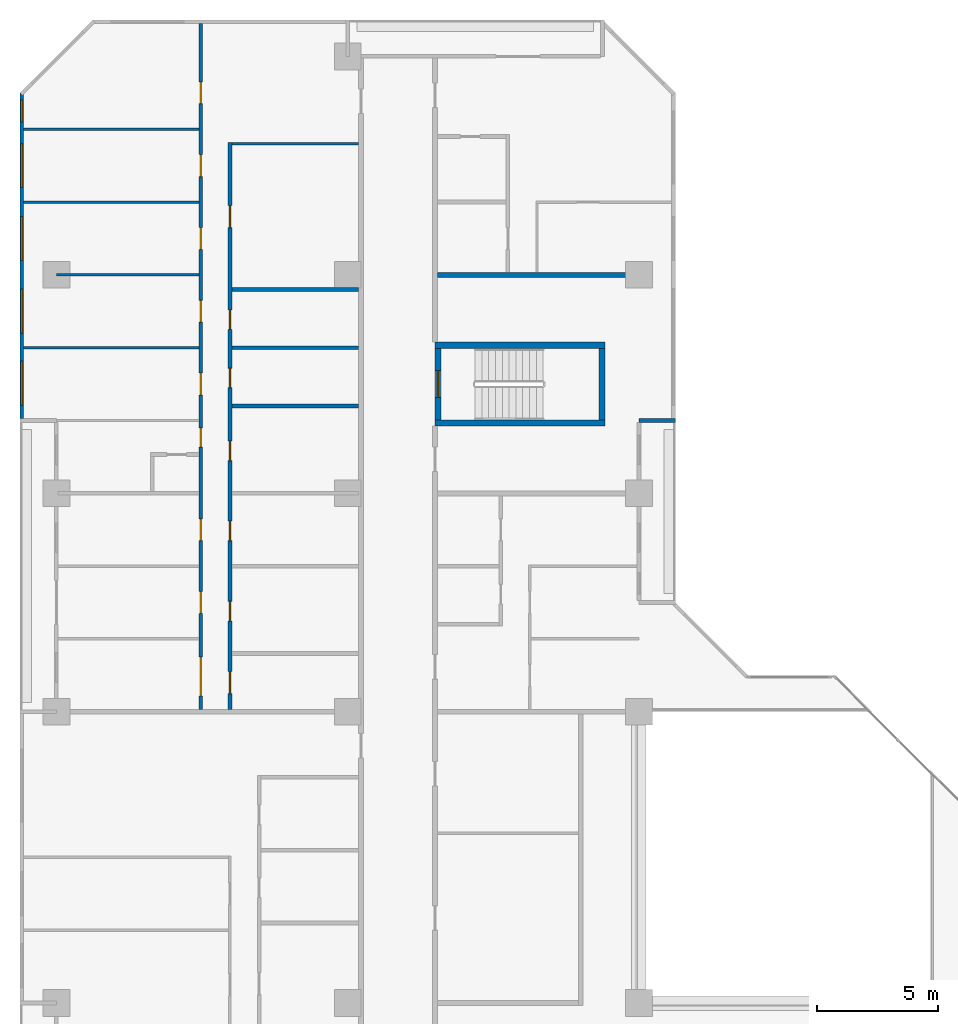
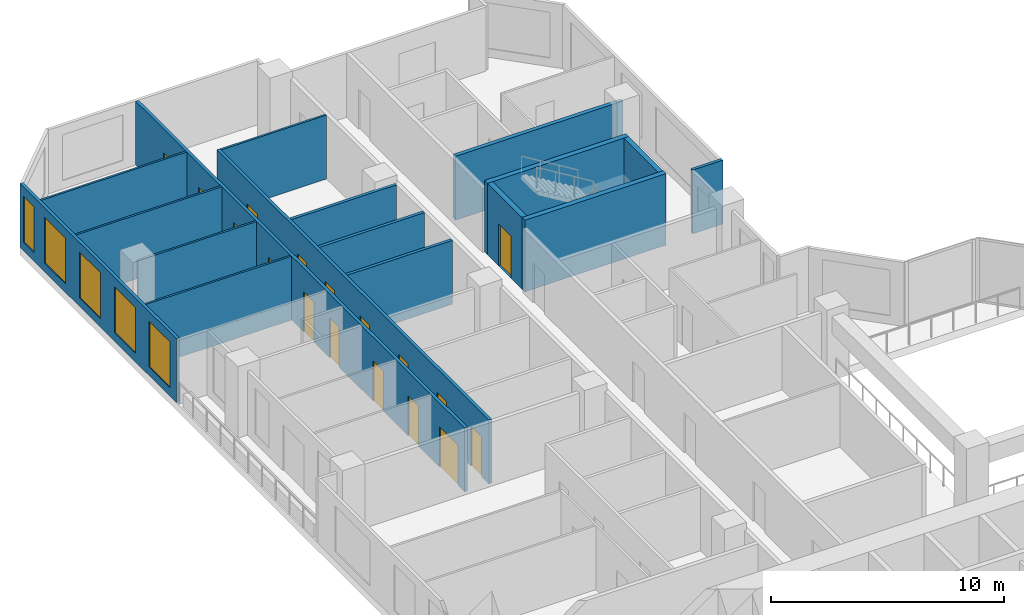
# One storey, part 10 of 15: 17 doors, 17 walls, 5 windows, 22 openings.
"""IFC4 building model written with IfcOpenShell, lengths in metres."""

from ifc_helpers import new_model, si_unit, direction, frame, frame_2d, origin, place, context, subcontext, project, spatial, rectangle, extrude, material, layer, layer_set, type_object, element, fill, save


model = new_model("IFC4")

# Units and contexts
model_context = context("Model", 3, precision=1e-05, world=origin(), true_north=direction((0.0, 1.0)))
body_context = subcontext(model_context, "Body", "Model", "MODEL_VIEW")
ifc_project = project(units=[si_unit("LENGTHUNIT", "METRE"), si_unit("AREAUNIT", "SQUARE_METRE"), si_unit("VOLUMEUNIT", "CUBIC_METRE"), si_unit("PLANEANGLEUNIT", "RADIAN"), si_unit("MASSUNIT", "GRAM", prefix="KILO")], contexts=[model_context])

# Site, building, storey
site_placement = place(None, origin())
site = spatial("IfcSite", under=ifc_project, at=site_placement, CompositionType="ELEMENT")
building_placement = place(site_placement, origin())
building = spatial("IfcBuilding", under=site, at=building_placement, Name="Chenar Terraces", CompositionType="ELEMENT")
storey_placement = place(building_placement, frame((0.0, 0.0, 60.14990234375)))
storey = spatial("IfcBuildingStorey", under=building, at=storey_placement, Name="L12", CompositionType="ELEMENT", Elevation=60.14990234375)

# Walls
ifc_material_1 = material(Name="Concrete C70/85", Category="concrete")
ifc_layer_1 = layer(ifc_material_1, 0.25)
ifc_layer_set_1 = layer_set([ifc_layer_1], Name="Concrete C70/85")
wall_type_1 = type_object("IfcWallType", Name="Core wall 250 Concrete C70/85", PredefinedType="SHEAR", material=ifc_layer_set_1)
for number, where, z_axis, x_axis, name in (
    (1, (15.60009765625, 47.89990234375, 0.0), (0.0, 0.0, 1.0), (1.0, 0.0, 0.0), "Core wall ST4_S L12"),
    (2, (15.60009765625, 51.10009765625, 0.0), (0.0, 0.0, 1.0), (1.0, 0.0, 0.0), "Core wall ST4_N L12"),
):
    element("IfcWall", number, at=place(storey_placement, frame(where, z_axis=z_axis, x_axis=x_axis)), inside=storey, type_object=wall_type_1, Name=name, PredefinedType="SHEAR", context=body_context, shape_type="SweptSolid", body=[
        extrude(rectangle(XDim=7.0, YDim=0.25, at=frame_2d((3.5, 0.0))), origin(), (0.0, 0.0, 1.0), 3.75),
    ])

# Wall, opening, door
wall_1_placement = place(storey_placement, frame((15.72509765625, 48.02490234375, 0.0), z_axis=(0.0, 0.0, 1.0), x_axis=(0.0, 1.0, 0.0)))
wall_1 = element("IfcWall", 3, at=wall_1_placement, inside=storey, type_object=wall_type_1, Name="Core wall ST4_W L12", PredefinedType="SHEAR", context=body_context, shape_type="SweptSolid", body=[
    extrude(rectangle(XDim=2.9501953125, YDim=0.25, at=frame_2d((1.47509765625, 0.0))), origin(), (0.0, 0.0, 1.0), 3.75),
])
opening_1_placement = place(wall_1_placement, frame((0.925048828125, 0.0, 0.0)))
opening_1 = element("IfcOpeningElement", 4, at=opening_1_placement, cuts=wall_1, Name="Opening DL12-C9", PredefinedType="OPENING", context=body_context, shape_type="SweptSolid", body=[
    extrude(rectangle(XDim=1.10009765625, YDim=2.199951171875, at=frame_2d((0.550048828125, 1.10009765625))), frame((0.0, 0.135009765625, 0.0), z_axis=(0.0, -1.0, 0.0), x_axis=(1.0, 0.0, 0.0)), (0.0, 0.0, 1.0), 0.27001953125),
])
ifc_material_2 = material(Name="Steel-framed fire-resisting door leaf", Category="steel")
door_type_1 = type_object("IfcDoorType", Name="Stair fire door FD60 1100 x 2200", OperationType="SINGLE_SWING_LEFT", PredefinedType="DOOR", material=ifc_material_2)
door_1_placement = place(opening_1_placement, frame((1.10009765625, 0.0, 0.0), z_axis=(0.0, 0.0, 1.0), x_axis=(-1.0, 0.0, 0.0)))
door_1 = element("IfcDoor", 5, at=door_1_placement, inside=storey, type_object=door_type_1, Name="Stair door DL12-C9", OperationType="SINGLE_SWING_RIGHT", OverallHeight=2.199951171875, OverallWidth=1.10009765625, PredefinedType="DOOR", context=body_context, shape_type="SweptSolid", body=[
    extrude(rectangle(XDim=1.10009765625, YDim=2.199951171875, at=frame_2d((0.550048828125, 1.10009765625))), frame((0.0, 0.02490234375, 0.0), z_axis=(0.0, -1.0, 0.0), x_axis=(1.0, 0.0, 0.0)), (0.0, 0.0, 1.0), 0.050048828125),
])
fill(opening_1, door_1)

# Wall
wall_2_placement = place(storey_placement, frame((22.47509765625, 48.02490234375, 0.0), z_axis=(0.0, 0.0, 1.0), x_axis=(0.0, 1.0, 0.0)))
element("IfcWall", 6, at=wall_2_placement, inside=storey, type_object=wall_type_1, Name="Core wall ST4_E L12", PredefinedType="SHEAR", context=body_context, shape_type="SweptSolid", body=[
    extrude(rectangle(XDim=2.9501953125, YDim=0.25, at=frame_2d((1.47509765625, 0.0))), origin(), (0.0, 0.0, 1.0), 3.75),
])

# Wall, openings, windows
ifc_material_3 = material(Name="Aluminium framed glazing", Category="aluminium")
ifc_layer_2 = layer(ifc_material_3, 0.14990234375)
ifc_layer_set_2 = layer_set([ifc_layer_2], Name="Aluminium framed glazing")
wall_type_2 = type_object("IfcWallType", Name="Glazed flush facade wall 150", PredefinedType="SOLIDWALL", material=ifc_layer_set_2)
wall_3_placement = place(storey_placement, frame((-1.425048828125, 61.5, 0.0), z_axis=(0.0, 0.0, 1.0), x_axis=(0.0, -1.0, 0.0)))
wall_3 = element("IfcWall", 7, at=wall_3_placement, inside=storey, type_object=wall_type_2, Name="Glazed flush facade wall", PredefinedType="SOLIDWALL", context=body_context, shape_type="SweptSolid", body=[
    extrude(rectangle(XDim=13.425048828125, YDim=0.14990234375, at=frame_2d((6.71240234375, 0.0))), origin(), (0.0, 0.0, 1.0), 3.35009765625),
])
opening_2_placement = place(wall_3_placement, frame((0.300048828125, 0.0, 0.449951171875)))
opening_2 = element("IfcOpeningElement", 8, at=opening_2_placement, cuts=wall_3, Name="Opening W90x240", PredefinedType="OPENING", context=body_context, shape_type="SweptSolid", body=[
    extrude(rectangle(XDim=0.89990234375, YDim=2.39990234375, at=frame_2d((0.449951171875, 1.199951171875))), frame((0.0, 0.0849609375, 0.0), z_axis=(0.0, -1.0, 0.0), x_axis=(1.0, 0.0, 0.0)), (0.0, 0.0, 1.0), 0.169921875),
])
opening_3_placement = place(wall_3_placement, frame((2.10009765625, 0.0, 0.449951171875)))
opening_3 = element("IfcOpeningElement", 9, at=opening_3_placement, cuts=wall_3, Name="Opening W180x240", PredefinedType="OPENING", context=body_context, shape_type="SweptSolid", body=[
    extrude(rectangle(XDim=1.800048828125, YDim=2.39990234375, at=frame_2d((0.89990234375, 1.199951171875))), frame((0.0, 0.0849609375, 0.0), z_axis=(0.0, -1.0, 0.0), x_axis=(1.0, 0.0, 0.0)), (0.0, 0.0, 1.0), 0.169921875),
])
opening_4_placement = place(wall_3_placement, frame((5.10009765625, 0.0, 0.449951171875)))
opening_4 = element("IfcOpeningElement", 10, at=opening_4_placement, cuts=wall_3, Name="Opening W180x240", PredefinedType="OPENING", context=body_context, shape_type="SweptSolid", body=[
    extrude(rectangle(XDim=1.800048828125, YDim=2.39990234375, at=frame_2d((0.89990234375, 1.199951171875))), frame((0.0, 0.0849609375, 0.0), z_axis=(0.0, -1.0, 0.0), x_axis=(1.0, 0.0, 0.0)), (0.0, 0.0, 1.0), 0.169921875),
])
opening_5_placement = place(wall_3_placement, frame((8.10009765625, 0.0, 0.449951171875)))
opening_5 = element("IfcOpeningElement", 11, at=opening_5_placement, cuts=wall_3, Name="Opening W180x240", PredefinedType="OPENING", context=body_context, shape_type="SweptSolid", body=[
    extrude(rectangle(XDim=1.800048828125, YDim=2.39990234375, at=frame_2d((0.89990234375, 1.199951171875))), frame((0.0, 0.0849609375, 0.0), z_axis=(0.0, -1.0, 0.0), x_axis=(1.0, 0.0, 0.0)), (0.0, 0.0, 1.0), 0.169921875),
])
opening_6_placement = place(wall_3_placement, frame((11.0625, 0.0, 0.449951171875)))
opening_6 = element("IfcOpeningElement", 12, at=opening_6_placement, cuts=wall_3, Name="Opening W180x240", PredefinedType="OPENING", context=body_context, shape_type="SweptSolid", body=[
    extrude(rectangle(XDim=1.800048828125, YDim=2.39990234375, at=frame_2d((0.89990234375, 1.199951171875))), frame((0.0, 0.0849609375, 0.0), z_axis=(0.0, -1.0, 0.0), x_axis=(1.0, 0.0, 0.0)), (0.0, 0.0, 1.0), 0.169921875),
])
ifc_material_4 = material(Name="Low emissivity double glazing, aluminium frame", Category="aluminium")
window_type_1 = type_object("IfcWindowType", Name="Fixed light 1800 x 2400", PartitioningType="SINGLE_PANEL", PredefinedType="WINDOW", material=ifc_material_4)
window_1_placement = place(opening_3_placement, origin())
window_1 = element("IfcWindow", 13, at=window_1_placement, inside=storey, type_object=window_type_1, Name="Window", OverallHeight=2.39990234375, OverallWidth=1.800048828125, PartitioningType="SINGLE_PANEL", PredefinedType="WINDOW", context=body_context, shape_type="SweptSolid", body=[
    extrude(rectangle(XDim=1.800048828125, YDim=2.39990234375, at=frame_2d((0.89990234375, 1.199951171875))), frame((0.0, 0.030029296875, 0.0), z_axis=(0.0, -1.0, 0.0), x_axis=(1.0, 0.0, 0.0)), (0.0, 0.0, 1.0), 0.06005859375),
])
fill(opening_3, window_1)
window_2_placement = place(opening_4_placement, origin())
window_2 = element("IfcWindow", 14, at=window_2_placement, inside=storey, type_object=window_type_1, Name="Window", OverallHeight=2.39990234375, OverallWidth=1.800048828125, PartitioningType="SINGLE_PANEL", PredefinedType="WINDOW", context=body_context, shape_type="SweptSolid", body=[
    extrude(rectangle(XDim=1.800048828125, YDim=2.39990234375, at=frame_2d((0.89990234375, 1.199951171875))), frame((0.0, 0.030029296875, 0.0), z_axis=(0.0, -1.0, 0.0), x_axis=(1.0, 0.0, 0.0)), (0.0, 0.0, 1.0), 0.06005859375),
])
fill(opening_4, window_2)
window_3_placement = place(opening_5_placement, origin())
window_3 = element("IfcWindow", 15, at=window_3_placement, inside=storey, type_object=window_type_1, Name="Window", OverallHeight=2.39990234375, OverallWidth=1.800048828125, PartitioningType="SINGLE_PANEL", PredefinedType="WINDOW", context=body_context, shape_type="SweptSolid", body=[
    extrude(rectangle(XDim=1.800048828125, YDim=2.39990234375, at=frame_2d((0.89990234375, 1.199951171875))), frame((0.0, 0.030029296875, 0.0), z_axis=(0.0, -1.0, 0.0), x_axis=(1.0, 0.0, 0.0)), (0.0, 0.0, 1.0), 0.06005859375),
])
fill(opening_5, window_3)
window_4_placement = place(opening_6_placement, origin())
window_4 = element("IfcWindow", 16, at=window_4_placement, inside=storey, type_object=window_type_1, Name="Window", OverallHeight=2.39990234375, OverallWidth=1.800048828125, PartitioningType="SINGLE_PANEL", PredefinedType="WINDOW", context=body_context, shape_type="SweptSolid", body=[
    extrude(rectangle(XDim=1.800048828125, YDim=2.39990234375, at=frame_2d((0.89990234375, 1.199951171875))), frame((0.0, 0.030029296875, 0.0), z_axis=(0.0, -1.0, 0.0), x_axis=(1.0, 0.0, 0.0)), (0.0, 0.0, 1.0), 0.06005859375),
])
fill(opening_6, window_4)
ifc_material_5 = material(Name="Low emissivity double glazing, aluminium frame", Category="aluminium")
window_type_2 = type_object("IfcWindowType", Name="Fixed light 900 x 2400", PartitioningType="SINGLE_PANEL", PredefinedType="WINDOW", material=ifc_material_5)
window_5_placement = place(opening_2_placement, origin())
window_5 = element("IfcWindow", 17, at=window_5_placement, inside=storey, type_object=window_type_2, Name="Window", OverallHeight=2.39990234375, OverallWidth=0.89990234375, PartitioningType="SINGLE_PANEL", PredefinedType="WINDOW", context=body_context, shape_type="SweptSolid", body=[
    extrude(rectangle(XDim=0.89990234375, YDim=2.39990234375, at=frame_2d((0.449951171875, 1.199951171875))), frame((0.0, 0.030029296875, 0.0), z_axis=(0.0, -1.0, 0.0), x_axis=(1.0, 0.0, 0.0)), (0.0, 0.0, 1.0), 0.06005859375),
])
fill(opening_2, window_5)

# Walls
ifc_material_6 = material(Name="Gypsum board on steel studs", Category="steel")
ifc_layer_3 = layer(ifc_material_6, 0.10009765625)
ifc_layer_set_3 = layer_set([ifc_layer_3], Name="Gypsum board on steel studs")
wall_type_3 = type_object("IfcWallType", Name="Gypsum partition 100", PredefinedType="PARTITIONING", material=ifc_layer_set_3)
for number, where, z_axis, x_axis, name in (
    (18, (-1.35107421875, 57.0, 0.0), (0.0, 0.0, 1.0), (1.0, 0.0, 0.0), "Partition L12-002"),
    (19, (-1.35107421875, 60.0, 0.0), (0.0, 0.0, 1.0), (1.0, 0.0, 0.0), "Partition L12-003"),
):
    element("IfcWall", number, at=place(storey_placement, frame(where, z_axis=z_axis, x_axis=x_axis)), inside=storey, type_object=wall_type_3, Name=name, PredefinedType="PARTITIONING", context=body_context, shape_type="SweptSolid", body=[
        extrude(rectangle(XDim=7.22607421875, YDim=0.10009765625, at=frame_2d((3.613037109375, 0.0))), origin(), (0.0, 0.0, 1.0), 3.35009765625),
    ])
wall_4_placement = place(storey_placement, frame((-1.35009765625, 51.0, 0.0), z_axis=(0.0, 0.0, 1.0), x_axis=(1.0, 0.0, 0.0)))
element("IfcWall", 20, at=wall_4_placement, inside=storey, type_object=wall_type_3, Name="Partition L12-007", PredefinedType="PARTITIONING", context=body_context, shape_type="SweptSolid", body=[
    extrude(rectangle(XDim=7.22509765625, YDim=0.10009765625, at=frame_2d((3.612548828125, 0.0))), origin(), (0.0, 0.0, 1.0), 3.35009765625),
])
wall_5_placement = place(storey_placement, frame((0.0, 54.0, 0.0), z_axis=(0.0, 0.0, 1.0), x_axis=(1.0, 0.0, 0.0)))
element("IfcWall", 21, at=wall_5_placement, inside=storey, type_object=wall_type_3, Name="Partition L12-008", PredefinedType="PARTITIONING", context=body_context, shape_type="SweptSolid", body=[
    extrude(rectangle(XDim=5.875, YDim=0.10009765625, at=frame_2d((2.9375, 0.0))), origin(), (0.0, 0.0, 1.0), 3.35009765625),
])
wall_6_placement = place(storey_placement, frame((7.22509765625, 59.39990234375, 0.0), z_axis=(0.0, 0.0, 1.0), x_axis=(1.0, 0.0, 0.0)))
element("IfcWall", 22, at=wall_6_placement, inside=storey, type_object=wall_type_3, Name="Partition L12-026", PredefinedType="PARTITIONING", context=body_context, shape_type="SweptSolid", body=[
    extrude(rectangle(XDim=5.224853515625, YDim=0.10009765625, at=frame_2d((2.6123046875, 0.0))), origin(), (0.0, 0.0, 1.0), 3.35009765625),
])
ifc_material_7 = material(Name="Terracotta cladding on insulated backing", Category="masonry")
ifc_layer_4 = layer(ifc_material_7, 0.14990234375)
ifc_layer_set_4 = layer_set([ifc_layer_4], Name="Terracotta cladding on insulated backing")
wall_type_4 = type_object("IfcWallType", Name="Loggia return wall 150", PredefinedType="SOLIDWALL", material=ifc_layer_set_4)
wall_7_placement = place(storey_placement, frame((25.5, 48.0, 0.0), z_axis=(0.0, 0.0, 1.0), x_axis=(-1.0, 0.0, 0.0)))
element("IfcWall", 23, at=wall_7_placement, inside=storey, type_object=wall_type_4, Name="Loggia return wall", PredefinedType="SOLIDWALL", context=body_context, shape_type="SweptSolid", body=[
    extrude(rectangle(XDim=1.5, YDim=0.14990234375, at=frame_2d((0.75, 0.0))), origin(), (0.0, 0.0, 1.0), 3.35009765625),
])
ifc_material_8 = material(Name="Twin gypsum board on steel studs with mineral wool", Category="steel")
ifc_layer_5 = layer(ifc_material_8, 0.199951171875)
ifc_layer_set_5 = layer_set([ifc_layer_5], Name="Twin gypsum board on steel studs with mineral wool")
wall_type_5 = type_object("IfcWallType", Name="Unit demising wall 200", PredefinedType="PARTITIONING", material=ifc_layer_set_5)
wall_8_placement = place(storey_placement, frame((15.699951171875, 54.0, 0.0), z_axis=(0.0, 0.0, 1.0), x_axis=(1.0, 0.0, 0.0)))
element("IfcWall", 24, at=wall_8_placement, inside=storey, type_object=wall_type_5, Name="Partition L12-045", PredefinedType="PARTITIONING", context=body_context, shape_type="SweptSolid", body=[
    extrude(rectangle(XDim=8.300048828125, YDim=0.199951171875, at=frame_2d((4.14990234375, 0.0))), origin(), (0.0, 0.0, 1.0), 3.35009765625),
])

# Wall, openings, doors
ifc_material_9 = material(Name="Moisture-resistant gypsum board on steel studs", Category="steel")
ifc_layer_6 = layer(ifc_material_9, 0.14990234375)
ifc_layer_set_6 = layer_set([ifc_layer_6], Name="Moisture-resistant gypsum board on steel studs")
wall_type_6 = type_object("IfcWallType", Name="Wet-room partition 150", PredefinedType="PARTITIONING", material=ifc_layer_set_6)
wall_9_placement = place(storey_placement, frame((5.949951171875, 36.10009765625, 0.0), z_axis=(0.0, 0.0, 1.0), x_axis=(0.0, 1.0, 0.0)))
wall_9 = element("IfcWall", 25, at=wall_9_placement, inside=storey, type_object=wall_type_6, Name="Partition L12-017", PredefinedType="PARTITIONING", context=body_context, shape_type="SweptSolid", body=[
    extrude(rectangle(XDim=28.25, YDim=0.14990234375, at=frame_2d((14.125, 0.0))), origin(), (0.0, 0.0, 1.0), 3.35009765625),
])
opening_7_placement = place(wall_9_placement, frame((3.949951171875, 0.0, 0.0)))
opening_7 = element("IfcOpeningElement", 26, at=opening_7_placement, cuts=wall_9, Name="Opening DL12-33", PredefinedType="OPENING", context=body_context, shape_type="SweptSolid", body=[
    extrude(rectangle(XDim=0.89990234375, YDim=2.10009765625, at=frame_2d((0.449951171875, 1.050048828125))), frame((0.0, 0.0849609375, 0.0), z_axis=(0.0, -1.0, 0.0), x_axis=(1.0, 0.0, 0.0)), (0.0, 0.0, 1.0), 0.169921875),
])
opening_8_placement = place(wall_9_placement, frame((12.949951171875, 0.0, 0.0)))
opening_8 = element("IfcOpeningElement", 27, at=opening_8_placement, cuts=wall_9, Name="Opening DL12-34", PredefinedType="OPENING", context=body_context, shape_type="SweptSolid", body=[
    extrude(rectangle(XDim=0.89990234375, YDim=2.10009765625, at=frame_2d((0.449951171875, 1.050048828125))), frame((0.0, 0.0849609375, 0.0), z_axis=(0.0, -1.0, 0.0), x_axis=(1.0, 0.0, 0.0)), (0.0, 0.0, 1.0), 0.169921875),
])
opening_9_placement = place(wall_9_placement, frame((18.949951171875, 0.0, 0.0)))
opening_9 = element("IfcOpeningElement", 28, at=opening_9_placement, cuts=wall_9, Name="Opening DL12-35", PredefinedType="OPENING", context=body_context, shape_type="SweptSolid", body=[
    extrude(rectangle(XDim=0.89990234375, YDim=2.10009765625, at=frame_2d((0.449951171875, 1.050048828125))), frame((0.0, 0.0849609375, 0.0), z_axis=(0.0, -1.0, 0.0), x_axis=(1.0, 0.0, 0.0)), (0.0, 0.0, 1.0), 0.169921875),
])
opening_10_placement = place(wall_9_placement, frame((21.949951171875, 0.0, 0.0)))
opening_10 = element("IfcOpeningElement", 29, at=opening_10_placement, cuts=wall_9, Name="Opening DL12-36", PredefinedType="OPENING", context=body_context, shape_type="SweptSolid", body=[
    extrude(rectangle(XDim=0.89990234375, YDim=2.10009765625, at=frame_2d((0.449951171875, 1.050048828125))), frame((0.0, 0.0849609375, 0.0), z_axis=(0.0, -1.0, 0.0), x_axis=(1.0, 0.0, 0.0)), (0.0, 0.0, 1.0), 0.169921875),
])
opening_11_placement = place(wall_9_placement, frame((24.949951171875, 0.0, 0.0)))
opening_11 = element("IfcOpeningElement", 30, at=opening_11_placement, cuts=wall_9, Name="Opening DL12-37", PredefinedType="OPENING", context=body_context, shape_type="SweptSolid", body=[
    extrude(rectangle(XDim=0.89990234375, YDim=2.10009765625, at=frame_2d((0.449951171875, 1.050048828125))), frame((0.0, 0.0849609375, 0.0), z_axis=(0.0, -1.0, 0.0), x_axis=(1.0, 0.0, 0.0)), (0.0, 0.0, 1.0), 0.169921875),
])
opening_12_placement = place(wall_9_placement, frame((15.949951171875, 0.0, 0.0)))
opening_12 = element("IfcOpeningElement", 31, at=opening_12_placement, cuts=wall_9, Name="Opening DL12-43", PredefinedType="OPENING", context=body_context, shape_type="SweptSolid", body=[
    extrude(rectangle(XDim=0.89990234375, YDim=2.10009765625, at=frame_2d((0.449951171875, 1.050048828125))), frame((0.0, 0.0849609375, 0.0), z_axis=(0.0, -1.0, 0.0), x_axis=(1.0, 0.0, 0.0)), (0.0, 0.0, 1.0), 0.169921875),
])
opening_13_placement = place(wall_9_placement, frame((10.800048828125, 0.0, 0.0)))
opening_13 = element("IfcOpeningElement", 32, at=opening_13_placement, cuts=wall_9, Name="Opening DL12-44", PredefinedType="OPENING", context=body_context, shape_type="SweptSolid", body=[
    extrude(rectangle(XDim=0.800048828125, YDim=2.10009765625, at=frame_2d((0.39990234375, 1.050048828125))), frame((0.0, 0.0849609375, 0.0), z_axis=(0.0, -1.0, 0.0), x_axis=(1.0, 0.0, 0.0)), (0.0, 0.0, 1.0), 0.169921875),
])
opening_14_placement = place(wall_9_placement, frame((0.550048828125, 0.0, 0.0)))
opening_14 = element("IfcOpeningElement", 33, at=opening_14_placement, cuts=wall_9, Name="Opening DL12-46", PredefinedType="OPENING", context=body_context, shape_type="SweptSolid", body=[
    extrude(rectangle(XDim=1.60009765625, YDim=2.10009765625, at=frame_2d((0.800048828125, 1.050048828125))), frame((0.0, 0.0849609375, 0.0), z_axis=(0.0, -1.0, 0.0), x_axis=(1.0, 0.0, 0.0)), (0.0, 0.0, 1.0), 0.169921875),
])
opening_15_placement = place(wall_9_placement, frame((6.949951171875, 0.0, 0.0)))
opening_15 = element("IfcOpeningElement", 34, at=opening_15_placement, cuts=wall_9, Name="Opening DL12-48", PredefinedType="OPENING", context=body_context, shape_type="SweptSolid", body=[
    extrude(rectangle(XDim=0.89990234375, YDim=2.10009765625, at=frame_2d((0.449951171875, 1.050048828125))), frame((0.0, 0.0849609375, 0.0), z_axis=(0.0, -1.0, 0.0), x_axis=(1.0, 0.0, 0.0)), (0.0, 0.0, 1.0), 0.169921875),
])
ifc_material_10 = material(Name="Veneered timber door leaf", Category="wood")
door_type_2 = type_object("IfcDoorType", Name="Door 800 x 2100", OperationType="SINGLE_SWING_LEFT", PredefinedType="DOOR", material=ifc_material_10)
door_2_placement = place(opening_13_placement, origin())
door_2 = element("IfcDoor", 35, at=door_2_placement, inside=storey, type_object=door_type_2, Name="Door DL12-44", OperationType="SINGLE_SWING_RIGHT", OverallHeight=2.10009765625, OverallWidth=0.800048828125, PredefinedType="DOOR", context=body_context, shape_type="SweptSolid", body=[
    extrude(rectangle(XDim=0.800048828125, YDim=2.10009765625, at=frame_2d((0.39990234375, 1.050048828125))), frame((0.0, 0.02490234375, 0.0), z_axis=(0.0, -1.0, 0.0), x_axis=(1.0, 0.0, 0.0)), (0.0, 0.0, 1.0), 0.050048828125),
])
fill(opening_13, door_2)
ifc_material_11 = material(Name="Veneered timber door leaf", Category="wood")
door_type_3 = type_object("IfcDoorType", Name="Door 900 x 2100", OperationType="SINGLE_SWING_LEFT", PredefinedType="DOOR", material=ifc_material_11)
door_3_placement = place(opening_7_placement, origin())
door_3 = element("IfcDoor", 36, at=door_3_placement, inside=storey, type_object=door_type_3, Name="Door DL12-33", OperationType="SINGLE_SWING_RIGHT", OverallHeight=2.10009765625, OverallWidth=0.89990234375, PredefinedType="DOOR", context=body_context, shape_type="SweptSolid", body=[
    extrude(rectangle(XDim=0.89990234375, YDim=2.10009765625, at=frame_2d((0.449951171875, 1.050048828125))), frame((0.0, 0.02490234375, 0.0), z_axis=(0.0, -1.0, 0.0), x_axis=(1.0, 0.0, 0.0)), (0.0, 0.0, 1.0), 0.050048828125),
])
fill(opening_7, door_3)
door_4_placement = place(opening_8_placement, origin())
door_4 = element("IfcDoor", 37, at=door_4_placement, inside=storey, type_object=door_type_3, Name="Door DL12-34", OperationType="SINGLE_SWING_RIGHT", OverallHeight=2.10009765625, OverallWidth=0.89990234375, PredefinedType="DOOR", context=body_context, shape_type="SweptSolid", body=[
    extrude(rectangle(XDim=0.89990234375, YDim=2.10009765625, at=frame_2d((0.449951171875, 1.050048828125))), frame((0.0, 0.02490234375, 0.0), z_axis=(0.0, -1.0, 0.0), x_axis=(1.0, 0.0, 0.0)), (0.0, 0.0, 1.0), 0.050048828125),
])
fill(opening_8, door_4)
door_5_placement = place(opening_9_placement, origin())
door_5 = element("IfcDoor", 38, at=door_5_placement, inside=storey, type_object=door_type_3, Name="Door DL12-35", OperationType="SINGLE_SWING_RIGHT", OverallHeight=2.10009765625, OverallWidth=0.89990234375, PredefinedType="DOOR", context=body_context, shape_type="SweptSolid", body=[
    extrude(rectangle(XDim=0.89990234375, YDim=2.10009765625, at=frame_2d((0.449951171875, 1.050048828125))), frame((0.0, 0.02490234375, 0.0), z_axis=(0.0, -1.0, 0.0), x_axis=(1.0, 0.0, 0.0)), (0.0, 0.0, 1.0), 0.050048828125),
])
fill(opening_9, door_5)
door_6_placement = place(opening_10_placement, origin())
door_6 = element("IfcDoor", 39, at=door_6_placement, inside=storey, type_object=door_type_3, Name="Door DL12-36", OperationType="SINGLE_SWING_RIGHT", OverallHeight=2.10009765625, OverallWidth=0.89990234375, PredefinedType="DOOR", context=body_context, shape_type="SweptSolid", body=[
    extrude(rectangle(XDim=0.89990234375, YDim=2.10009765625, at=frame_2d((0.449951171875, 1.050048828125))), frame((0.0, 0.02490234375, 0.0), z_axis=(0.0, -1.0, 0.0), x_axis=(1.0, 0.0, 0.0)), (0.0, 0.0, 1.0), 0.050048828125),
])
fill(opening_10, door_6)
door_7_placement = place(opening_11_placement, origin())
door_7 = element("IfcDoor", 40, at=door_7_placement, inside=storey, type_object=door_type_3, Name="Door DL12-37", OperationType="SINGLE_SWING_LEFT", OverallHeight=2.10009765625, OverallWidth=0.89990234375, PredefinedType="DOOR", context=body_context, shape_type="SweptSolid", body=[
    extrude(rectangle(XDim=0.89990234375, YDim=2.10009765625, at=frame_2d((0.449951171875, 1.050048828125))), frame((0.0, 0.02490234375, 0.0), z_axis=(0.0, -1.0, 0.0), x_axis=(1.0, 0.0, 0.0)), (0.0, 0.0, 1.0), 0.050048828125),
])
fill(opening_11, door_7)
door_8_placement = place(opening_12_placement, origin())
door_8 = element("IfcDoor", 41, at=door_8_placement, inside=storey, type_object=door_type_3, Name="Door DL12-43", OperationType="SINGLE_SWING_RIGHT", OverallHeight=2.10009765625, OverallWidth=0.89990234375, PredefinedType="DOOR", context=body_context, shape_type="SweptSolid", body=[
    extrude(rectangle(XDim=0.89990234375, YDim=2.10009765625, at=frame_2d((0.449951171875, 1.050048828125))), frame((0.0, 0.02490234375, 0.0), z_axis=(0.0, -1.0, 0.0), x_axis=(1.0, 0.0, 0.0)), (0.0, 0.0, 1.0), 0.050048828125),
])
fill(opening_12, door_8)
door_9_placement = place(opening_15_placement, origin())
door_9 = element("IfcDoor", 42, at=door_9_placement, inside=storey, type_object=door_type_3, Name="Door DL12-48", OperationType="SINGLE_SWING_RIGHT", OverallHeight=2.10009765625, OverallWidth=0.89990234375, PredefinedType="DOOR", context=body_context, shape_type="SweptSolid", body=[
    extrude(rectangle(XDim=0.89990234375, YDim=2.10009765625, at=frame_2d((0.449951171875, 1.050048828125))), frame((0.0, 0.02490234375, 0.0), z_axis=(0.0, -1.0, 0.0), x_axis=(1.0, 0.0, 0.0)), (0.0, 0.0, 1.0), 0.050048828125),
])
fill(opening_15, door_9)
ifc_material_12 = material(Name="Veneered timber door leaf", Category="wood")
door_type_4 = type_object("IfcDoorType", Name="Double door 1600 x 2100", OperationType="DOUBLE_DOOR_SINGLE_SWING", PredefinedType="DOOR", material=ifc_material_12)
door_10_placement = place(opening_14_placement, origin())
door_10 = element("IfcDoor", 43, at=door_10_placement, inside=storey, type_object=door_type_4, Name="Door DL12-46", OperationType="DOUBLE_DOOR_SINGLE_SWING", OverallHeight=2.10009765625, OverallWidth=1.60009765625, PredefinedType="DOOR", context=body_context, shape_type="SweptSolid", body=[
    extrude(rectangle(XDim=1.60009765625, YDim=2.10009765625, at=frame_2d((0.800048828125, 1.050048828125))), frame((0.0, 0.02490234375, 0.0), z_axis=(0.0, -1.0, 0.0), x_axis=(1.0, 0.0, 0.0)), (0.0, 0.0, 1.0), 0.050048828125),
])
fill(opening_14, door_10)

wall_10_placement = place(storey_placement, frame((7.14990234375, 36.10009765625, 0.0), z_axis=(0.0, 0.0, 1.0), x_axis=(0.0, 1.0, 0.0)))
wall_10 = element("IfcWall", 44, at=wall_10_placement, inside=storey, type_object=wall_type_6, Name="Partition L12-019", PredefinedType="PARTITIONING", context=body_context, shape_type="SweptSolid", body=[
    extrude(rectangle(XDim=23.349853515625, YDim=0.14990234375, at=frame_2d((11.6748046875, 0.0))), origin(), (0.0, 0.0, 1.0), 3.35009765625),
])
opening_16_placement = place(wall_10_placement, frame((10.25, 0.0, 0.0)))
opening_16 = element("IfcOpeningElement", 45, at=opening_16_placement, cuts=wall_10, Name="Opening DL12-32", PredefinedType="OPENING", context=body_context, shape_type="SweptSolid", body=[
    extrude(rectangle(XDim=0.800048828125, YDim=2.10009765625, at=frame_2d((0.39990234375, 1.050048828125))), frame((0.0, 0.0849609375, 0.0), z_axis=(0.0, -1.0, 0.0), x_axis=(1.0, 0.0, 0.0)), (0.0, 0.0, 1.0), 0.169921875),
])
opening_17_placement = place(wall_10_placement, frame((19.85009765625, 0.0, 0.0)))
opening_17 = element("IfcOpeningElement", 46, at=opening_17_placement, cuts=wall_10, Name="Opening DL12-39", PredefinedType="OPENING", context=body_context, shape_type="SweptSolid", body=[
    extrude(rectangle(XDim=0.89990234375, YDim=2.10009765625, at=frame_2d((0.449951171875, 1.050048828125))), frame((0.0, 0.0849609375, 0.0), z_axis=(0.0, -1.0, 0.0), x_axis=(1.0, 0.0, 0.0)), (0.0, 0.0, 1.0), 0.169921875),
])
opening_18_placement = place(wall_10_placement, frame((3.64990234375, 0.0, 0.0)))
opening_18 = element("IfcOpeningElement", 47, at=opening_18_placement, cuts=wall_10, Name="Opening DL12-40", PredefinedType="OPENING", context=body_context, shape_type="SweptSolid", body=[
    extrude(rectangle(XDim=0.800048828125, YDim=2.10009765625, at=frame_2d((0.39990234375, 1.050048828125))), frame((0.0, 0.0849609375, 0.0), z_axis=(0.0, -1.0, 0.0), x_axis=(1.0, 0.0, 0.0)), (0.0, 0.0, 1.0), 0.169921875),
])
opening_19_placement = place(wall_10_placement, frame((13.25, 0.0, 0.0)))
opening_19 = element("IfcOpeningElement", 48, at=opening_19_placement, cuts=wall_10, Name="Opening DL12-41", PredefinedType="OPENING", context=body_context, shape_type="SweptSolid", body=[
    extrude(rectangle(XDim=0.800048828125, YDim=2.10009765625, at=frame_2d((0.39990234375, 1.050048828125))), frame((0.0, 0.0849609375, 0.0), z_axis=(0.0, -1.0, 0.0), x_axis=(1.0, 0.0, 0.0)), (0.0, 0.0, 1.0), 0.169921875),
])
opening_20_placement = place(wall_10_placement, frame((15.64990234375, 0.0, 0.0)))
opening_20 = element("IfcOpeningElement", 49, at=opening_20_placement, cuts=wall_10, Name="Opening DL12-42", PredefinedType="OPENING", context=body_context, shape_type="SweptSolid", body=[
    extrude(rectangle(XDim=0.800048828125, YDim=2.10009765625, at=frame_2d((0.39990234375, 1.050048828125))), frame((0.0, 0.0849609375, 0.0), z_axis=(0.0, -1.0, 0.0), x_axis=(1.0, 0.0, 0.0)), (0.0, 0.0, 1.0), 0.169921875),
])
opening_21_placement = place(wall_10_placement, frame((0.64990234375, 0.0, 0.0)))
opening_21 = element("IfcOpeningElement", 50, at=opening_21_placement, cuts=wall_10, Name="Opening DL12-47", PredefinedType="OPENING", context=body_context, shape_type="SweptSolid", body=[
    extrude(rectangle(XDim=0.89990234375, YDim=2.10009765625, at=frame_2d((0.449951171875, 1.050048828125))), frame((0.0, 0.0849609375, 0.0), z_axis=(0.0, -1.0, 0.0), x_axis=(1.0, 0.0, 0.0)), (0.0, 0.0, 1.0), 0.169921875),
])
opening_22_placement = place(wall_10_placement, frame((6.949951171875, 0.0, 0.0)))
opening_22 = element("IfcOpeningElement", 51, at=opening_22_placement, cuts=wall_10, Name="Opening DL12-49", PredefinedType="OPENING", context=body_context, shape_type="SweptSolid", body=[
    extrude(rectangle(XDim=0.800048828125, YDim=2.10009765625, at=frame_2d((0.39990234375, 1.050048828125))), frame((0.0, 0.0849609375, 0.0), z_axis=(0.0, -1.0, 0.0), x_axis=(1.0, 0.0, 0.0)), (0.0, 0.0, 1.0), 0.169921875),
])
door_11_placement = place(opening_16_placement, frame((0.800048828125, 0.0, 0.0), z_axis=(0.0, 0.0, 1.0), x_axis=(-1.0, 0.0, 0.0)))
door_11 = element("IfcDoor", 52, at=door_11_placement, inside=storey, type_object=door_type_2, Name="Door DL12-32", OperationType="SINGLE_SWING_RIGHT", OverallHeight=2.10009765625, OverallWidth=0.800048828125, PredefinedType="DOOR", context=body_context, shape_type="SweptSolid", body=[
    extrude(rectangle(XDim=0.800048828125, YDim=2.10009765625, at=frame_2d((0.39990234375, 1.050048828125))), frame((0.0, 0.02490234375, 0.0), z_axis=(0.0, -1.0, 0.0), x_axis=(1.0, 0.0, 0.0)), (0.0, 0.0, 1.0), 0.050048828125),
])
fill(opening_16, door_11)
door_12_placement = place(opening_18_placement, frame((0.800048828125, 0.0, 0.0), z_axis=(0.0, 0.0, 1.0), x_axis=(-1.0, 0.0, 0.0)))
door_12 = element("IfcDoor", 53, at=door_12_placement, inside=storey, type_object=door_type_2, Name="Door DL12-40", OperationType="SINGLE_SWING_RIGHT", OverallHeight=2.10009765625, OverallWidth=0.800048828125, PredefinedType="DOOR", context=body_context, shape_type="SweptSolid", body=[
    extrude(rectangle(XDim=0.800048828125, YDim=2.10009765625, at=frame_2d((0.39990234375, 1.050048828125))), frame((0.0, 0.02490234375, 0.0), z_axis=(0.0, -1.0, 0.0), x_axis=(1.0, 0.0, 0.0)), (0.0, 0.0, 1.0), 0.050048828125),
])
fill(opening_18, door_12)
door_13_placement = place(opening_19_placement, frame((0.800048828125, 0.0, 0.0), z_axis=(0.0, 0.0, 1.0), x_axis=(-1.0, 0.0, 0.0)))
door_13 = element("IfcDoor", 54, at=door_13_placement, inside=storey, type_object=door_type_2, Name="Door DL12-41", OperationType="SINGLE_SWING_RIGHT", OverallHeight=2.10009765625, OverallWidth=0.800048828125, PredefinedType="DOOR", context=body_context, shape_type="SweptSolid", body=[
    extrude(rectangle(XDim=0.800048828125, YDim=2.10009765625, at=frame_2d((0.39990234375, 1.050048828125))), frame((0.0, 0.02490234375, 0.0), z_axis=(0.0, -1.0, 0.0), x_axis=(1.0, 0.0, 0.0)), (0.0, 0.0, 1.0), 0.050048828125),
])
fill(opening_19, door_13)
door_14_placement = place(opening_20_placement, frame((0.800048828125, 0.0, 0.0), z_axis=(0.0, 0.0, 1.0), x_axis=(-1.0, 0.0, 0.0)))
door_14 = element("IfcDoor", 55, at=door_14_placement, inside=storey, type_object=door_type_2, Name="Door DL12-42", OperationType="SINGLE_SWING_RIGHT", OverallHeight=2.10009765625, OverallWidth=0.800048828125, PredefinedType="DOOR", context=body_context, shape_type="SweptSolid", body=[
    extrude(rectangle(XDim=0.800048828125, YDim=2.10009765625, at=frame_2d((0.39990234375, 1.050048828125))), frame((0.0, 0.02490234375, 0.0), z_axis=(0.0, -1.0, 0.0), x_axis=(1.0, 0.0, 0.0)), (0.0, 0.0, 1.0), 0.050048828125),
])
fill(opening_20, door_14)
door_15_placement = place(opening_22_placement, frame((0.800048828125, 0.0, 0.0), z_axis=(0.0, 0.0, 1.0), x_axis=(-1.0, 0.0, 0.0)))
door_15 = element("IfcDoor", 56, at=door_15_placement, inside=storey, type_object=door_type_2, Name="Door DL12-49", OperationType="SINGLE_SWING_RIGHT", OverallHeight=2.10009765625, OverallWidth=0.800048828125, PredefinedType="DOOR", context=body_context, shape_type="SweptSolid", body=[
    extrude(rectangle(XDim=0.800048828125, YDim=2.10009765625, at=frame_2d((0.39990234375, 1.050048828125))), frame((0.0, 0.02490234375, 0.0), z_axis=(0.0, -1.0, 0.0), x_axis=(1.0, 0.0, 0.0)), (0.0, 0.0, 1.0), 0.050048828125),
])
fill(opening_22, door_15)
door_16_placement = place(opening_17_placement, frame((0.89990234375, 0.0, 0.0), z_axis=(0.0, 0.0, 1.0), x_axis=(-1.0, 0.0, 0.0)))
door_16 = element("IfcDoor", 57, at=door_16_placement, inside=storey, type_object=door_type_3, Name="Door DL12-39", OperationType="SINGLE_SWING_LEFT", OverallHeight=2.10009765625, OverallWidth=0.89990234375, PredefinedType="DOOR", context=body_context, shape_type="SweptSolid", body=[
    extrude(rectangle(XDim=0.89990234375, YDim=2.10009765625, at=frame_2d((0.449951171875, 1.050048828125))), frame((0.0, 0.02490234375, 0.0), z_axis=(0.0, -1.0, 0.0), x_axis=(1.0, 0.0, 0.0)), (0.0, 0.0, 1.0), 0.050048828125),
])
fill(opening_17, door_16)
door_17_placement = place(opening_21_placement, frame((0.89990234375, 0.0, 0.0), z_axis=(0.0, 0.0, 1.0), x_axis=(-1.0, 0.0, 0.0)))
door_17 = element("IfcDoor", 58, at=door_17_placement, inside=storey, type_object=door_type_3, Name="Door DL12-47", OperationType="SINGLE_SWING_LEFT", OverallHeight=2.10009765625, OverallWidth=0.89990234375, PredefinedType="DOOR", context=body_context, shape_type="SweptSolid", body=[
    extrude(rectangle(XDim=0.89990234375, YDim=2.10009765625, at=frame_2d((0.449951171875, 1.050048828125))), frame((0.0, 0.02490234375, 0.0), z_axis=(0.0, -1.0, 0.0), x_axis=(1.0, 0.0, 0.0)), (0.0, 0.0, 1.0), 0.050048828125),
])
fill(opening_21, door_17)

# Walls
for number, where, z_axis, x_axis, name in (
    (59, (7.22509765625, 48.60009765625, 0.0), (0.0, 0.0, 1.0), (1.0, 0.0, 0.0), "Partition L12-023"),
    (60, (7.22509765625, 51.0, 0.0), (0.0, 0.0, 1.0), (1.0, 0.0, 0.0), "Partition L12-024"),
    (61, (7.22509765625, 53.39990234375, 0.0), (0.0, 0.0, 1.0), (1.0, 0.0, 0.0), "Partition L12-025"),
):
    element("IfcWall", number, at=place(storey_placement, frame(where, z_axis=z_axis, x_axis=x_axis)), inside=storey, type_object=wall_type_6, Name=name, PredefinedType="PARTITIONING", context=body_context, shape_type="SweptSolid", body=[
        extrude(rectangle(XDim=5.224853515625, YDim=0.14990234375, at=frame_2d((2.6123046875, 0.0))), origin(), (0.0, 0.0, 1.0), 3.35009765625),
    ])

save(model, "model.ifc")
